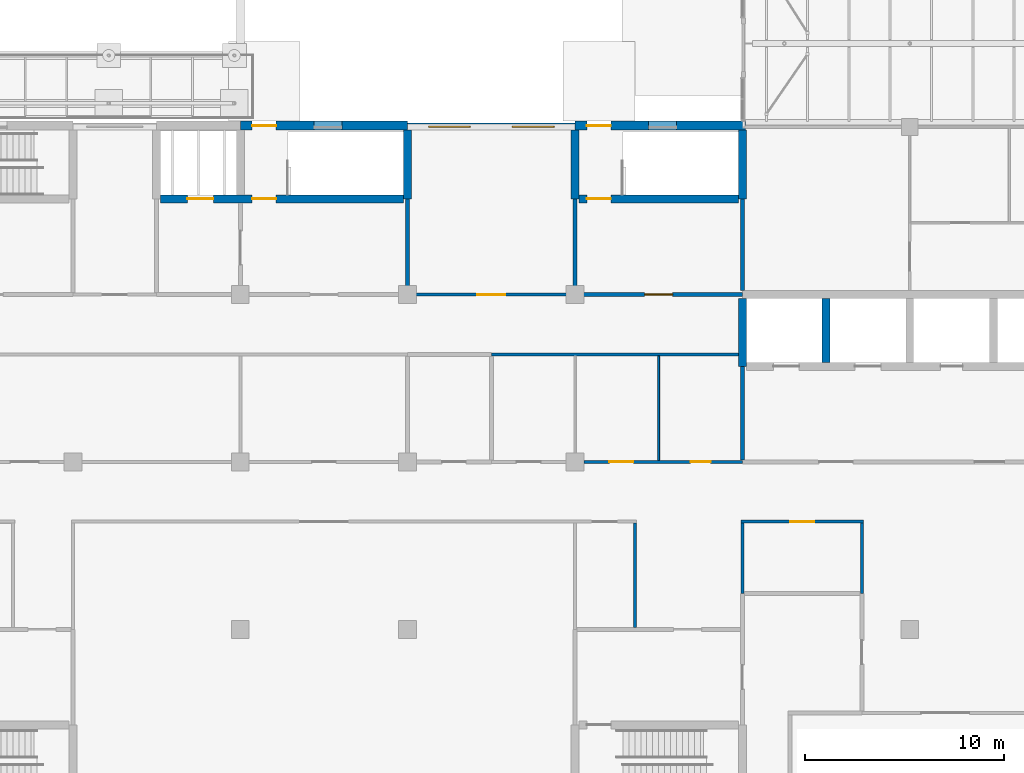
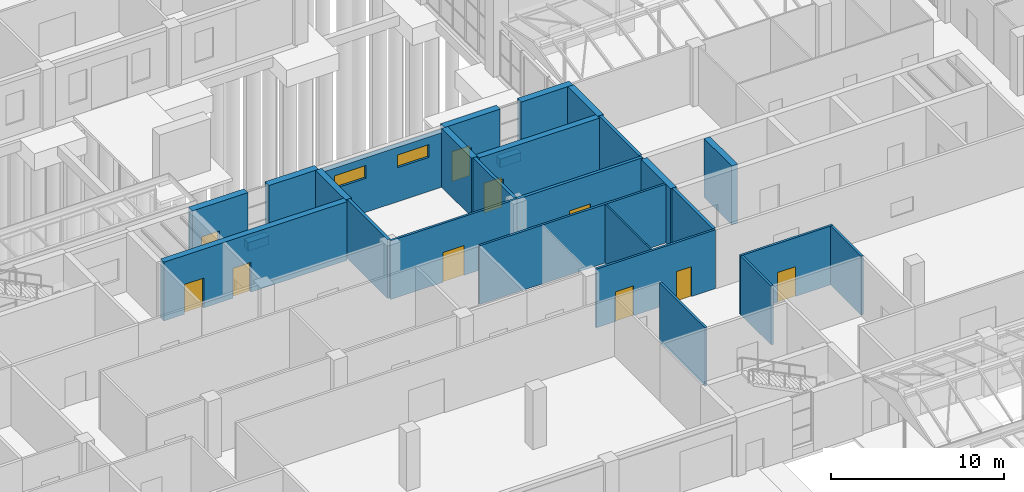
# One storey, part 99 of 138: 27 walls, 10 doors, 2 windows, 12 openings.
"""IFC4 building model written with IfcOpenShell, lengths in metres."""

from ifc_helpers import new_model, si_unit, direction, frame, frame_2d, origin, place, context, subcontext, project, spatial, rectangle, extrude, material, layer, layer_set, type_object, element, fill, save


model = new_model("IFC4")

# Units and contexts
model_context = context("Model", 3, precision=1e-05, world=origin(), true_north=direction((0.0, 1.0)))
body_context = subcontext(model_context, "Body", "Model", "MODEL_VIEW")
ifc_project = project(units=[si_unit("LENGTHUNIT", "METRE"), si_unit("AREAUNIT", "SQUARE_METRE"), si_unit("VOLUMEUNIT", "CUBIC_METRE"), si_unit("PLANEANGLEUNIT", "RADIAN"), si_unit("MASSUNIT", "GRAM", prefix="KILO")], contexts=[model_context])

# Site, building, storey
site_placement = place(None, origin())
site = spatial("IfcSite", under=ifc_project, at=site_placement, CompositionType="ELEMENT")
building_placement = place(site_placement, origin())
building = spatial("IfcBuilding", under=site, at=building_placement, Name="Yavir Park General Hospital", CompositionType="ELEMENT")
storey_placement = place(building_placement, origin())
storey = spatial("IfcBuildingStorey", under=building, at=storey_placement, Name="L00", CompositionType="ELEMENT", Elevation=0.0)

# Wall, opening, door
ifc_material_1 = material(Name="Double gypsum board fire partition on steel studs", Category="steel")
ifc_layer_1 = layer(ifc_material_1, 0.199951171875)
ifc_layer_set_1 = layer_set([ifc_layer_1], Name="Double gypsum board fire partition on steel studs")
wall_type_1 = type_object("IfcWallType", Name="Fire-rated partition 200, EI 60", PredefinedType="PARTITIONING", material=ifc_layer_set_1)
wall_1_placement = place(storey_placement, frame((67.199951171875, 25.199951171875, 0.0), z_axis=(0.0, 0.0, 1.0), x_axis=(1.0, 0.0, 0.0)))
wall_1 = element("IfcWall", 1, at=wall_1_placement, inside=storey, type_object=wall_type_1, Name="FP20 L00-066", PredefinedType="PARTITIONING", context=body_context, shape_type="SweptSolid", body=[
    extrude(rectangle(XDim=8.400146484375, YDim=0.199951171875, at=frame_2d((4.2001953125, 0.0))), origin(), (0.0, 0.0, 1.0), 4.139892578125),
])
opening_1_placement = place(wall_1_placement, frame((3.5, 0.0, 0.0)))
opening_1 = element("IfcOpeningElement", 2, at=opening_1_placement, cuts=wall_1, Name="Opening L00.D062", PredefinedType="OPENING", context=body_context, shape_type="SweptSolid", body=[
    extrude(rectangle(XDim=1.39990234375, YDim=2.10009765625, at=frame_2d((0.699951171875, 1.050048828125))), frame((0.0, 0.10986328125, 0.0), z_axis=(0.0, -1.0, 0.0), x_axis=(1.0, 0.0, 0.0)), (0.0, 0.0, 1.0), 0.219970703125),
])
ifc_material_2 = material(Name="Steel frame, fire-resisting leaves with vision panels", Category="steel")
door_type_1 = type_object("IfcDoorType", Name="Double fire door with vision panels 1400 x 2100, EI 60", OperationType="DOUBLE_DOOR_SINGLE_SWING", PredefinedType="DOOR", material=ifc_material_2)
door_1_placement = place(opening_1_placement, origin())
door_1 = element("IfcDoor", 3, at=door_1_placement, inside=storey, type_object=door_type_1, Name="L00.D062", OperationType="SINGLE_SWING_RIGHT", OverallHeight=2.10009765625, OverallWidth=1.39990234375, PredefinedType="DOOR", context=body_context, shape_type="SweptSolid", body=[
    extrude(rectangle(XDim=1.39990234375, YDim=2.10009765625, at=frame_2d((0.699951171875, 1.050048828125))), frame((0.0, 0.030029296875, 0.0), z_axis=(0.0, -1.0, 0.0), x_axis=(1.0, 0.0, 0.0)), (0.0, 0.0, 1.0), 0.06005859375),
])
fill(opening_1, door_1)

# Walls
for number, where, z_axis, x_axis, name in (
    (4, (58.800048828125, 25.300048828125, 0.0), (0.0, 0.0, 1.0), (0.0, 1.0, 0.0), "FP20 L00-376"),
    (5, (67.199951171875, 25.300048828125, 0.0), (0.0, 0.0, 1.0), (0.0, 1.0, 0.0), "FP20 L00-387"),
):
    element("IfcWall", number, at=place(storey_placement, frame(where, z_axis=z_axis, x_axis=x_axis)), inside=storey, type_object=wall_type_1, Name=name, PredefinedType="PARTITIONING", context=body_context, shape_type="SweptSolid", body=[
        extrude(rectangle(XDim=4.699951171875, YDim=0.199951171875, at=frame_2d((2.35009765625, 0.0))), origin(), (0.0, 0.0, 1.0), 4.139892578125),
    ])
wall_2_placement = place(storey_placement, frame((75.60009765625, 16.89990234375, 0.0), z_axis=(0.0, 0.0, 1.0), x_axis=(0.0, 1.0, 0.0)))
element("IfcWall", 6, at=wall_2_placement, inside=storey, type_object=wall_type_1, Name="FP20 L00-395", PredefinedType="PARTITIONING", context=body_context, shape_type="SweptSolid", body=[
    extrude(rectangle(XDim=4.7001953125, YDim=0.199951171875, at=frame_2d((2.35009765625, 0.0))), origin(), (0.0, 0.0, 1.0), 4.139892578125),
])
wall_3_placement = place(storey_placement, frame((75.60009765625, 25.39990234375, 0.0), z_axis=(0.0, 0.0, 1.0), x_axis=(0.0, 1.0, 0.0)))
element("IfcWall", 7, at=wall_3_placement, inside=storey, type_object=wall_type_1, Name="FP20 L00-397", PredefinedType="PARTITIONING", context=body_context, shape_type="SweptSolid", body=[
    extrude(rectangle(XDim=4.60009765625, YDim=0.199951171875, at=frame_2d((2.300048828125, 0.0))), origin(), (0.0, 0.0, 1.0), 4.139892578125),
])
ifc_material_3 = material(Name="Gypsum board partition on steel studs", Category="steel")
ifc_layer_2 = layer(ifc_material_3, 0.10009765625)
ifc_layer_set_2 = layer_set([ifc_layer_2], Name="Gypsum board partition on steel studs")
wall_type_2 = type_object("IfcWallType", Name="Gypsum board partition 100", PredefinedType="PARTITIONING", material=ifc_layer_set_2)
wall_4_placement = place(storey_placement, frame((71.39990234375, 16.875, 0.0), z_axis=(0.0, 0.0, 1.0), x_axis=(0.0, 1.0, 0.0)))
element("IfcWall", 8, at=wall_4_placement, inside=storey, type_object=wall_type_2, Name="P10 L00-391", PredefinedType="PARTITIONING", context=body_context, shape_type="SweptSolid", body=[
    extrude(rectangle(XDim=5.25, YDim=0.10009765625, at=frame_2d((2.625, 0.0))), origin(), (0.0, 0.0, 1.0), 4.139892578125),
])

# Wall, opening, door
ifc_material_4 = material(Name="Gypsum board partition on steel studs", Category="steel")
ifc_layer_3 = layer(ifc_material_4, 0.14990234375)
ifc_layer_set_3 = layer_set([ifc_layer_3], Name="Gypsum board partition on steel studs")
wall_type_3 = type_object("IfcWallType", Name="Gypsum board partition 150", PredefinedType="PARTITIONING", material=ifc_layer_set_3)
wall_5_placement = place(storey_placement, frame((75.52490234375, 13.800048828125, 0.0), z_axis=(0.0, 0.0, 1.0), x_axis=(1.0, 0.0, 0.0)))
wall_5 = element("IfcWall", 9, at=wall_5_placement, inside=storey, type_object=wall_type_3, Name="P15 L00-029", PredefinedType="PARTITIONING", context=body_context, shape_type="SweptSolid", body=[
    extrude(rectangle(XDim=6.150146484375, YDim=0.14990234375, at=frame_2d((3.0751953125, 0.0))), origin(), (0.0, 0.0, 1.0), 4.139892578125),
])
opening_2_placement = place(wall_5_placement, frame((2.47509765625, 0.0, 0.0)))
opening_2 = element("IfcOpeningElement", 10, at=opening_2_placement, cuts=wall_5, Name="Opening L00.D028", PredefinedType="OPENING", context=body_context, shape_type="SweptSolid", body=[
    extrude(rectangle(XDim=1.199951171875, YDim=2.10009765625, at=frame_2d((0.60009765625, 1.050048828125))), frame((0.0, 0.0849609375, 0.0), z_axis=(0.0, -1.0, 0.0), x_axis=(1.0, 0.0, 0.0)), (0.0, 0.0, 1.0), 0.169921875),
])
ifc_material_5 = material(Name="Hollow metal frame, solid-core timber leaf", Category="wood")
door_type_2 = type_object("IfcDoorType", Name="Single swing door 1200 x 2100", OperationType="SINGLE_SWING_LEFT", PredefinedType="DOOR", material=ifc_material_5)
door_2_placement = place(opening_2_placement, origin())
door_2 = element("IfcDoor", 11, at=door_2_placement, inside=storey, type_object=door_type_2, Name="L00.D028", OperationType="SINGLE_SWING_LEFT", OverallHeight=2.10009765625, OverallWidth=1.199951171875, PredefinedType="DOOR", context=body_context, shape_type="SweptSolid", body=[
    extrude(rectangle(XDim=1.199951171875, YDim=2.10009765625, at=frame_2d((0.60009765625, 1.050048828125))), frame((0.0, 0.02490234375, 0.0), z_axis=(0.0, -1.0, 0.0), x_axis=(1.0, 0.0, 0.0)), (0.0, 0.0, 1.0), 0.050048828125),
])
fill(opening_2, door_2)

# Wall, openings, doors
wall_6_placement = place(storey_placement, frame((67.64990234375, 16.800048828125, 0.0), z_axis=(0.0, 0.0, 1.0), x_axis=(1.0, 0.0, 0.0)))
wall_6 = element("IfcWall", 12, at=wall_6_placement, inside=storey, type_object=wall_type_3, Name="P15 L00-040", PredefinedType="PARTITIONING", context=body_context, shape_type="SweptSolid", body=[
    extrude(rectangle(XDim=7.9501953125, YDim=0.14990234375, at=frame_2d((3.97509765625, 0.0))), origin(), (0.0, 0.0, 1.0), 4.139892578125),
])
opening_3_placement = place(wall_6_placement, frame((1.27490234375, 0.0, 0.0)))
opening_3 = element("IfcOpeningElement", 13, at=opening_3_placement, cuts=wall_6, Name="Opening L00.D035", PredefinedType="OPENING", context=body_context, shape_type="SweptSolid", body=[
    extrude(rectangle(XDim=1.199951171875, YDim=2.10009765625, at=frame_2d((0.60009765625, 1.050048828125))), frame((0.0, 0.0849609375, 0.0), z_axis=(0.0, -1.0, 0.0), x_axis=(1.0, 0.0, 0.0)), (0.0, 0.0, 1.0), 0.169921875),
])
opening_4_placement = place(wall_6_placement, frame((5.35009765625, 0.0, 0.0)))
opening_4 = element("IfcOpeningElement", 14, at=opening_4_placement, cuts=wall_6, Name="Opening L00.D036", PredefinedType="OPENING", context=body_context, shape_type="SweptSolid", body=[
    extrude(rectangle(XDim=1.0, YDim=2.10009765625, at=frame_2d((0.5, 1.050048828125))), frame((0.0, 0.0849609375, 0.0), z_axis=(0.0, -1.0, 0.0), x_axis=(1.0, 0.0, 0.0)), (0.0, 0.0, 1.0), 0.169921875),
])
ifc_material_6 = material(Name="Hollow metal frame, solid-core timber leaf", Category="wood")
door_type_3 = type_object("IfcDoorType", Name="Single swing door 1000 x 2100", OperationType="SINGLE_SWING_LEFT", PredefinedType="DOOR", material=ifc_material_6)
door_3_placement = place(opening_4_placement, origin())
door_3 = element("IfcDoor", 15, at=door_3_placement, inside=storey, type_object=door_type_3, Name="L00.D036", OperationType="SINGLE_SWING_RIGHT", OverallHeight=2.10009765625, OverallWidth=1.0, PredefinedType="DOOR", context=body_context, shape_type="SweptSolid", body=[
    extrude(rectangle(XDim=1.0, YDim=2.10009765625, at=frame_2d((0.5, 1.050048828125))), frame((0.0, 0.02490234375, 0.0), z_axis=(0.0, -1.0, 0.0), x_axis=(1.0, 0.0, 0.0)), (0.0, 0.0, 1.0), 0.050048828125),
])
fill(opening_4, door_3)
door_4_placement = place(opening_3_placement, origin())
door_4 = element("IfcDoor", 16, at=door_4_placement, inside=storey, type_object=door_type_2, Name="L00.D035", OperationType="SINGLE_SWING_RIGHT", OverallHeight=2.10009765625, OverallWidth=1.199951171875, PredefinedType="DOOR", context=body_context, shape_type="SweptSolid", body=[
    extrude(rectangle(XDim=1.199951171875, YDim=2.10009765625, at=frame_2d((0.60009765625, 1.050048828125))), frame((0.0, 0.02490234375, 0.0), z_axis=(0.0, -1.0, 0.0), x_axis=(1.0, 0.0, 0.0)), (0.0, 0.0, 1.0), 0.050048828125),
])
fill(opening_3, door_4)

# Wall
wall_7_placement = place(storey_placement, frame((63.0, 22.199951171875, 0.0), z_axis=(0.0, 0.0, 1.0), x_axis=(1.0, 0.0, 0.0)))
element("IfcWall", 17, at=wall_7_placement, inside=storey, type_object=wall_type_3, Name="P15 L00-055", PredefinedType="PARTITIONING", context=body_context, shape_type="SweptSolid", body=[
    extrude(rectangle(XDim=12.39990234375, YDim=0.14990234375, at=frame_2d((6.199951171875, 0.0))), origin(), (0.0, 0.0, 1.0), 4.139892578125),
])

# Wall, opening, door
wall_8_placement = place(storey_placement, frame((58.800048828125, 25.199951171875, 0.0), z_axis=(0.0, 0.0, 1.0), x_axis=(1.0, 0.0, 0.0)))
wall_8 = element("IfcWall", 18, at=wall_8_placement, inside=storey, type_object=wall_type_3, Name="P15 L00-065", PredefinedType="PARTITIONING", context=body_context, shape_type="SweptSolid", body=[
    extrude(rectangle(XDim=8.39990234375, YDim=0.14990234375, at=frame_2d((4.199951171875, 0.0))), origin(), (0.0, 0.0, 1.0), 4.139892578125),
])
opening_5_placement = place(wall_8_placement, frame((3.5, 0.0, 0.0)))
opening_5 = element("IfcOpeningElement", 19, at=opening_5_placement, cuts=wall_8, Name="Opening L00.D061", PredefinedType="OPENING", context=body_context, shape_type="SweptSolid", body=[
    extrude(rectangle(XDim=1.39990234375, YDim=2.10009765625, at=frame_2d((0.699951171875, 1.050048828125))), frame((0.0, 0.0849609375, 0.0), z_axis=(0.0, -1.0, 0.0), x_axis=(1.0, 0.0, 0.0)), (0.0, 0.0, 1.0), 0.169921875),
])
ifc_material_7 = material(Name="Hollow metal frame, solid-core timber leaf", Category="wood")
door_type_4 = type_object("IfcDoorType", Name="Double swing door 1400 x 2100", OperationType="DOUBLE_DOOR_SINGLE_SWING", PredefinedType="DOOR", material=ifc_material_7)
door_5_placement = place(opening_5_placement, origin())
door_5 = element("IfcDoor", 20, at=door_5_placement, inside=storey, type_object=door_type_4, Name="L00.D061", OperationType="SINGLE_SWING_RIGHT", OverallHeight=2.10009765625, OverallWidth=1.39990234375, PredefinedType="DOOR", context=body_context, shape_type="SweptSolid", body=[
    extrude(rectangle(XDim=1.39990234375, YDim=2.10009765625, at=frame_2d((0.699951171875, 1.050048828125))), frame((0.0, 0.02490234375, 0.0), z_axis=(0.0, -1.0, 0.0), x_axis=(1.0, 0.0, 0.0)), (0.0, 0.0, 1.0), 0.050048828125),
])
fill(opening_5, door_5)

# Walls
wall_9_placement = place(storey_placement, frame((70.199951171875, 8.5, 0.0), z_axis=(0.0, 0.0, 1.0), x_axis=(0.0, 1.0, 0.0)))
element("IfcWall", 21, at=wall_9_placement, inside=storey, type_object=wall_type_3, Name="P15 L00-390", PredefinedType="PARTITIONING", context=body_context, shape_type="SweptSolid", body=[
    extrude(rectangle(XDim=5.22509765625, YDim=0.14990234375, at=frame_2d((2.612548828125, 0.0))), origin(), (0.0, 0.0, 1.0), 4.139892578125),
])
for number, where, z_axis, x_axis, name in (
    (22, (75.60009765625, 10.199951171875, 0.0), (0.0, 0.0, 1.0), (0.0, 1.0, 0.0), "P15 L00-394"),
    (23, (81.60009765625, 10.199951171875, 0.0), (0.0, 0.0, 1.0), (0.0, 1.0, 0.0), "P15 L00-403"),
):
    element("IfcWall", number, at=place(storey_placement, frame(where, z_axis=z_axis, x_axis=x_axis)), inside=storey, type_object=wall_type_3, Name=name, PredefinedType="PARTITIONING", context=body_context, shape_type="SweptSolid", body=[
        extrude(rectangle(XDim=3.525146484375, YDim=0.14990234375, at=frame_2d((1.7626953125, 0.0))), origin(), (0.0, 0.0, 1.0), 4.139892578125),
    ])

# Wall, openings, windows
ifc_material_8 = material(Name="Concrete C30/37 precast panel with 120 mm mineral wool insulation", Category="concrete")
ifc_layer_4 = layer(ifc_material_8, 0.35009765625)
ifc_layer_set_4 = layer_set([ifc_layer_4], Name="Concrete C30/37 precast panel with 120 mm mineral wool insulation")
wall_type_4 = type_object("IfcWallType", Name="Precast cladding panel podium wall 350, E 30", PredefinedType="SOLIDWALL", material=ifc_layer_set_4)
wall_10_placement = place(storey_placement, frame((58.800048828125, 33.625, 0.0), z_axis=(0.0, 0.0, 1.0), x_axis=(1.0, 0.0, 0.0)))
wall_10 = element("IfcWall", 24, at=wall_10_placement, inside=storey, type_object=wall_type_4, Name="XW2 L00-041", PredefinedType="SOLIDWALL", context=body_context, shape_type="SweptSolid", body=[
    extrude(rectangle(XDim=8.39990234375, YDim=0.35009765625, at=frame_2d((4.199951171875, 0.0))), origin(), (0.0, 0.0, 1.0), 3.840087890625),
])
opening_6_placement = place(wall_10_placement, frame((1.050048828125, 0.0, 2.39990234375)))
opening_6 = element("IfcOpeningElement", 25, at=opening_6_placement, cuts=wall_10, Name="Opening WW", PredefinedType="OPENING", context=body_context, shape_type="SweptSolid", body=[
    extrude(rectangle(XDim=2.10009765625, YDim=0.89990234375, at=frame_2d((1.050048828125, 0.449951171875))), frame((0.0, 0.18505859375, 0.0), z_axis=(0.0, -1.0, 0.0), x_axis=(1.0, 0.0, 0.0)), (0.0, 0.0, 1.0), 0.3701171875),
])
opening_7_placement = place(wall_10_placement, frame((5.25, 0.0, 2.39990234375)))
opening_7 = element("IfcOpeningElement", 26, at=opening_7_placement, cuts=wall_10, Name="Opening WW", PredefinedType="OPENING", context=body_context, shape_type="SweptSolid", body=[
    extrude(rectangle(XDim=2.10009765625, YDim=0.89990234375, at=frame_2d((1.050048828125, 0.449951171875))), frame((0.0, 0.18505859375, 0.0), z_axis=(0.0, -1.0, 0.0), x_axis=(1.0, 0.0, 0.0)), (0.0, 0.0, 1.0), 0.3701171875),
])
ifc_material_9 = material(Name="Aluminium frame, double glazed unit", Category="aluminium")
window_type = type_object("IfcWindowType", Name="High-level workshop window 2100 x 900", PartitioningType="SINGLE_PANEL", PredefinedType="WINDOW", material=ifc_material_9)
window_1_placement = place(opening_6_placement, origin())
window_1 = element("IfcWindow", 27, at=window_1_placement, inside=storey, type_object=window_type, Name="WW L00-009", OverallHeight=0.89990234375, OverallWidth=2.10009765625, PartitioningType="SINGLE_PANEL", PredefinedType="WINDOW", context=body_context, shape_type="SweptSolid", body=[
    extrude(rectangle(XDim=2.10009765625, YDim=0.89990234375, at=frame_2d((1.050048828125, 0.449951171875))), frame((0.0, 0.030029296875, 0.0), z_axis=(0.0, -1.0, 0.0), x_axis=(1.0, 0.0, 0.0)), (0.0, 0.0, 1.0), 0.06005859375),
])
fill(opening_6, window_1)
window_2_placement = place(opening_7_placement, origin())
window_2 = element("IfcWindow", 28, at=window_2_placement, inside=storey, type_object=window_type, Name="WW L00-010", OverallHeight=0.89990234375, OverallWidth=2.10009765625, PartitioningType="SINGLE_PANEL", PredefinedType="WINDOW", context=body_context, shape_type="SweptSolid", body=[
    extrude(rectangle(XDim=2.10009765625, YDim=0.89990234375, at=frame_2d((1.050048828125, 0.449951171875))), frame((0.0, 0.030029296875, 0.0), z_axis=(0.0, -1.0, 0.0), x_axis=(1.0, 0.0, 0.0)), (0.0, 0.0, 1.0), 0.06005859375),
])
fill(opening_7, window_2)

# Wall, openings, doors
ifc_material_10 = material(Name="Concrete C35/45", Category="concrete")
ifc_layer_5 = layer(ifc_material_10, 0.39990234375)
ifc_layer_set_5 = layer_set([ifc_layer_5], Name="Concrete C35/45")
wall_type_5 = type_object("IfcWallType", Name="Reinforced concrete core wall 400, REI 150", PredefinedType="SHEAR", material=ifc_layer_set_5)
wall_11_placement = place(storey_placement, frame((46.39990234375, 30.0, 0.0), z_axis=(0.0, 0.0, 1.0), x_axis=(1.0, 0.0, 0.0)))
wall_11 = element("IfcWall", 29, at=wall_11_placement, inside=storey, type_object=wall_type_5, Name="CW40 L00-080", PredefinedType="SHEAR", context=body_context, shape_type="SweptSolid", body=[
    extrude(rectangle(XDim=12.2001953125, YDim=0.39990234375, at=frame_2d((6.10009765625, 0.0))), origin(), (0.0, 0.0, 1.0), 4.139892578125),
])
opening_8_placement = place(wall_11_placement, frame((1.35009765625, 0.0, 0.0)))
opening_8 = element("IfcOpeningElement", 30, at=opening_8_placement, cuts=wall_11, Name="Opening L00.D076", PredefinedType="OPENING", context=body_context, shape_type="SweptSolid", body=[
    extrude(rectangle(XDim=1.300048828125, YDim=2.10009765625, at=frame_2d((0.64990234375, 1.050048828125))), frame((0.0, 0.2099609375, 0.0), z_axis=(0.0, -1.0, 0.0), x_axis=(1.0, 0.0, 0.0)), (0.0, 0.0, 1.0), 0.419921875),
])
opening_9_placement = place(wall_11_placement, frame((4.60009765625, 0.0, 0.0)))
opening_9 = element("IfcOpeningElement", 31, at=opening_9_placement, cuts=wall_11, Name="Opening L00.D077", PredefinedType="OPENING", context=body_context, shape_type="SweptSolid", body=[
    extrude(rectangle(XDim=1.199951171875, YDim=2.10009765625, at=frame_2d((0.60009765625, 1.050048828125))), frame((0.0, 0.2099609375, 0.0), z_axis=(0.0, -1.0, 0.0), x_axis=(1.0, 0.0, 0.0)), (0.0, 0.0, 1.0), 0.419921875),
])
ifc_material_11 = material(Name="Steel frame, fire-resisting timber leaf", Category="steel")
door_type_5 = type_object("IfcDoorType", Name="Fire door 1200 x 2100, EI 60", OperationType="SINGLE_SWING_LEFT", PredefinedType="DOOR", material=ifc_material_11)
door_6_placement = place(opening_9_placement, origin())
door_6 = element("IfcDoor", 32, at=door_6_placement, inside=storey, type_object=door_type_5, Name="L00.D077", OperationType="SINGLE_SWING_LEFT", OverallHeight=2.10009765625, OverallWidth=1.199951171875, PredefinedType="DOOR", context=body_context, shape_type="SweptSolid", body=[
    extrude(rectangle(XDim=1.199951171875, YDim=2.10009765625, at=frame_2d((0.60009765625, 1.050048828125))), frame((0.0, 0.02490234375, 0.0), z_axis=(0.0, -1.0, 0.0), x_axis=(1.0, 0.0, 0.0)), (0.0, 0.0, 1.0), 0.050048828125),
])
fill(opening_9, door_6)
ifc_material_12 = material(Name="Stainless steel landing door panels", Category="steel")
door_type_6 = type_object("IfcDoorType", Name="Lift landing door 1300 x 2100, EI 60", OperationType="SLIDING_TO_LEFT", PredefinedType="DOOR", material=ifc_material_12)
door_7_placement = place(opening_8_placement, origin())
door_7 = element("IfcDoor", 33, at=door_7_placement, inside=storey, type_object=door_type_6, Name="L00.D076", OperationType="SLIDING_TO_LEFT", OverallHeight=2.10009765625, OverallWidth=1.300048828125, PredefinedType="DOOR", context=body_context, shape_type="SweptSolid", body=[
    extrude(rectangle(XDim=1.300048828125, YDim=2.10009765625, at=frame_2d((0.64990234375, 1.050048828125))), frame((0.0, 0.02490234375, 0.0), z_axis=(0.0, -1.0, 0.0), x_axis=(1.0, 0.0, 0.0)), (0.0, 0.0, 1.0), 0.050048828125),
])
fill(opening_8, door_7)

# Wall, opening, door
wall_12_placement = place(storey_placement, frame((67.39990234375, 30.0, 0.0), z_axis=(0.0, 0.0, 1.0), x_axis=(1.0, 0.0, 0.0)))
wall_12 = element("IfcWall", 34, at=wall_12_placement, inside=storey, type_object=wall_type_5, Name="CW40 L00-081", PredefinedType="SHEAR", context=body_context, shape_type="SweptSolid", body=[
    extrude(rectangle(XDim=8.0, YDim=0.39990234375, at=frame_2d((4.0, 0.0))), origin(), (0.0, 0.0, 1.0), 4.139892578125),
])
opening_10_placement = place(wall_12_placement, frame((0.39990234375, 0.0, 0.0)))
opening_10 = element("IfcOpeningElement", 35, at=opening_10_placement, cuts=wall_12, Name="Opening L00.D078", PredefinedType="OPENING", context=body_context, shape_type="SweptSolid", body=[
    extrude(rectangle(XDim=1.199951171875, YDim=2.10009765625, at=frame_2d((0.60009765625, 1.050048828125))), frame((0.0, 0.2099609375, 0.0), z_axis=(0.0, -1.0, 0.0), x_axis=(1.0, 0.0, 0.0)), (0.0, 0.0, 1.0), 0.419921875),
])
door_8_placement = place(opening_10_placement, origin())
door_8 = element("IfcDoor", 36, at=door_8_placement, inside=storey, type_object=door_type_5, Name="L00.D078", OperationType="SINGLE_SWING_LEFT", OverallHeight=2.10009765625, OverallWidth=1.199951171875, PredefinedType="DOOR", context=body_context, shape_type="SweptSolid", body=[
    extrude(rectangle(XDim=1.199951171875, YDim=2.10009765625, at=frame_2d((0.60009765625, 1.050048828125))), frame((0.0, 0.02490234375, 0.0), z_axis=(0.0, -1.0, 0.0), x_axis=(1.0, 0.0, 0.0)), (0.0, 0.0, 1.0), 0.050048828125),
])
fill(opening_10, door_8)

# Walls
for number, where, z_axis, x_axis, name in (
    (37, (58.800048828125, 30.0, 0.0), (0.0, 0.0, 1.0), (0.0, 1.0, 0.0), "CW40 L00-377"),
    (38, (67.199951171875, 30.0, 0.0), (0.0, 0.0, 1.0), (0.0, 1.0, 0.0), "CW40 L00-388"),
):
    element("IfcWall", number, at=place(storey_placement, frame(where, z_axis=z_axis, x_axis=x_axis)), inside=storey, type_object=wall_type_5, Name=name, PredefinedType="SHEAR", context=body_context, shape_type="SweptSolid", body=[
        extrude(rectangle(XDim=3.449951171875, YDim=0.39990234375, at=frame_2d((1.72509765625, 0.0))), origin(), (0.0, 0.0, 1.0), 4.139892578125),
    ])
wall_13_placement = place(storey_placement, frame((75.60009765625, 21.60009765625, 0.0), z_axis=(0.0, 0.0, 1.0), x_axis=(0.0, 1.0, 0.0)))
element("IfcWall", 39, at=wall_13_placement, inside=storey, type_object=wall_type_5, Name="CW40 L00-396", PredefinedType="SHEAR", context=body_context, shape_type="SweptSolid", body=[
    extrude(rectangle(XDim=3.39990234375, YDim=0.39990234375, at=frame_2d((1.699951171875, 0.0))), origin(), (0.0, 0.0, 1.0), 4.139892578125),
])
wall_14_placement = place(storey_placement, frame((75.60009765625, 30.0, 0.0), z_axis=(0.0, 0.0, 1.0), x_axis=(0.0, 1.0, 0.0)))
element("IfcWall", 40, at=wall_14_placement, inside=storey, type_object=wall_type_5, Name="CW40 L00-398", PredefinedType="SHEAR", context=body_context, shape_type="SweptSolid", body=[
    extrude(rectangle(XDim=3.449951171875, YDim=0.39990234375, at=frame_2d((1.72509765625, 0.0))), origin(), (0.0, 0.0, 1.0), 4.139892578125),
])
wall_15_placement = place(storey_placement, frame((79.800048828125, 21.800048828125, 0.0), z_axis=(0.0, 0.0, 1.0), x_axis=(0.0, 1.0, 0.0)))
element("IfcWall", 41, at=wall_15_placement, inside=storey, type_object=wall_type_5, Name="CW40 L00-401", PredefinedType="SHEAR", context=body_context, shape_type="SweptSolid", body=[
    extrude(rectangle(XDim=3.199951171875, YDim=0.39990234375, at=frame_2d((1.60009765625, 0.0))), origin(), (0.0, 0.0, 1.0), 4.139892578125),
])

# Wall, opening, door
ifc_material_13 = material(Name="Concrete C30/37 precast panel with 150 mm mineral wool insulation", Category="concrete")
ifc_layer_6 = layer(ifc_material_13, 0.449951171875)
ifc_layer_set_6 = layer_set([ifc_layer_6], Name="Concrete C30/37 precast panel with 150 mm mineral wool insulation")
wall_type_6 = type_object("IfcWallType", Name="Stair enclosure wall 450, REI 150", PredefinedType="SOLIDWALL", material=ifc_layer_set_6)
wall_16_placement = place(storey_placement, frame((50.39990234375, 33.675048828125, 0.0), z_axis=(0.0, 0.0, 1.0), x_axis=(1.0, 0.0, 0.0)))
wall_16 = element("IfcWall", 42, at=wall_16_placement, inside=storey, type_object=wall_type_6, Name="XW6 L00-038", PredefinedType="SOLIDWALL", context=body_context, shape_type="SweptSolid", body=[
    extrude(rectangle(XDim=3.7001953125, YDim=0.449951171875, at=frame_2d((1.85009765625, 0.0))), origin(), (0.0, 0.0, 1.0), 4.139892578125),
])
opening_11_placement = place(wall_16_placement, frame((0.60009765625, 0.0, 0.0)))
opening_11 = element("IfcOpeningElement", 43, at=opening_11_placement, cuts=wall_16, Name="Opening L00.X11", PredefinedType="OPENING", context=body_context, shape_type="SweptSolid", body=[
    extrude(rectangle(XDim=1.199951171875, YDim=2.10009765625, at=frame_2d((0.60009765625, 1.050048828125))), frame((0.0, 0.23486328125, 0.0), z_axis=(0.0, -1.0, 0.0), x_axis=(1.0, 0.0, 0.0)), (0.0, 0.0, 1.0), 0.469970703125),
])
door_9_placement = place(opening_11_placement, origin())
door_9 = element("IfcDoor", 44, at=door_9_placement, inside=storey, type_object=door_type_2, Name="L00.X11", OperationType="SINGLE_SWING_RIGHT", OverallHeight=2.10009765625, OverallWidth=1.199951171875, PredefinedType="DOOR", context=body_context, shape_type="SweptSolid", body=[
    extrude(rectangle(XDim=1.199951171875, YDim=2.10009765625, at=frame_2d((0.60009765625, 1.050048828125))), frame((0.0, 0.02490234375, 0.0), z_axis=(0.0, -1.0, 0.0), x_axis=(1.0, 0.0, 0.0)), (0.0, 0.0, 1.0), 0.050048828125),
])
fill(opening_11, door_9)

# Walls
wall_17_placement = place(storey_placement, frame((55.5, 33.675048828125, 0.0), z_axis=(0.0, 0.0, 1.0), x_axis=(1.0, 0.0, 0.0)))
element("IfcWall", 45, at=wall_17_placement, inside=storey, type_object=wall_type_6, Name="XW6 L00-039", PredefinedType="SOLIDWALL", context=body_context, shape_type="SweptSolid", body=[
    extrude(rectangle(XDim=3.300048828125, YDim=0.449951171875, at=frame_2d((1.64990234375, 0.0))), origin(), (0.0, 0.0, 1.0), 4.139892578125),
])
wall_18_placement = place(storey_placement, frame((54.10009765625, 33.675048828125, 0.0), z_axis=(0.0, 0.0, 1.0), x_axis=(1.0, 0.0, 0.0)))
element("IfcWall", 46, at=wall_18_placement, inside=storey, type_object=wall_type_6, Name="XW6 L00-040", PredefinedType="SOLIDWALL", context=body_context, shape_type="SweptSolid", body=[
    extrude(rectangle(XDim=1.39990234375, YDim=0.449951171875, at=frame_2d((0.699951171875, 0.0))), origin(), (0.0, 0.0, 1.0), 0.60009765625),
])

# Wall, opening, door
wall_19_placement = place(storey_placement, frame((67.199951171875, 33.675048828125, 0.0), z_axis=(0.0, 0.0, 1.0), x_axis=(1.0, 0.0, 0.0)))
wall_19 = element("IfcWall", 47, at=wall_19_placement, inside=storey, type_object=wall_type_6, Name="XW6 L00-042", PredefinedType="SOLIDWALL", context=body_context, shape_type="SweptSolid", body=[
    extrude(rectangle(XDim=3.699951171875, YDim=0.449951171875, at=frame_2d((1.85009765625, 0.0))), origin(), (0.0, 0.0, 1.0), 4.139892578125),
])
opening_12_placement = place(wall_19_placement, frame((0.60009765625, 0.0, 0.0)))
opening_12 = element("IfcOpeningElement", 48, at=opening_12_placement, cuts=wall_19, Name="Opening L00.X12", PredefinedType="OPENING", context=body_context, shape_type="SweptSolid", body=[
    extrude(rectangle(XDim=1.199951171875, YDim=2.10009765625, at=frame_2d((0.60009765625, 1.050048828125))), frame((0.0, 0.23486328125, 0.0), z_axis=(0.0, -1.0, 0.0), x_axis=(1.0, 0.0, 0.0)), (0.0, 0.0, 1.0), 0.469970703125),
])
door_10_placement = place(opening_12_placement, origin())
door_10 = element("IfcDoor", 49, at=door_10_placement, inside=storey, type_object=door_type_2, Name="L00.X12", OperationType="SINGLE_SWING_RIGHT", OverallHeight=2.10009765625, OverallWidth=1.199951171875, PredefinedType="DOOR", context=body_context, shape_type="SweptSolid", body=[
    extrude(rectangle(XDim=1.199951171875, YDim=2.10009765625, at=frame_2d((0.60009765625, 1.050048828125))), frame((0.0, 0.02490234375, 0.0), z_axis=(0.0, -1.0, 0.0), x_axis=(1.0, 0.0, 0.0)), (0.0, 0.0, 1.0), 0.050048828125),
])
fill(opening_12, door_10)

# Walls
wall_20_placement = place(storey_placement, frame((72.300048828125, 33.675048828125, 0.0), z_axis=(0.0, 0.0, 1.0), x_axis=(1.0, 0.0, 0.0)))
element("IfcWall", 50, at=wall_20_placement, inside=storey, type_object=wall_type_6, Name="XW6 L00-043", PredefinedType="SOLIDWALL", context=body_context, shape_type="SweptSolid", body=[
    extrude(rectangle(XDim=3.449951171875, YDim=0.449951171875, at=frame_2d((1.72509765625, 0.0))), origin(), (0.0, 0.0, 1.0), 4.139892578125),
])
wall_21_placement = place(storey_placement, frame((70.89990234375, 33.675048828125, 0.0), z_axis=(0.0, 0.0, 1.0), x_axis=(1.0, 0.0, 0.0)))
element("IfcWall", 51, at=wall_21_placement, inside=storey, type_object=wall_type_6, Name="XW6 L00-044", PredefinedType="SOLIDWALL", context=body_context, shape_type="SweptSolid", body=[
    extrude(rectangle(XDim=1.400146484375, YDim=0.449951171875, at=frame_2d((0.7001953125, 0.0))), origin(), (0.0, 0.0, 1.0), 0.60009765625),
])

save(model, "model.ifc")
